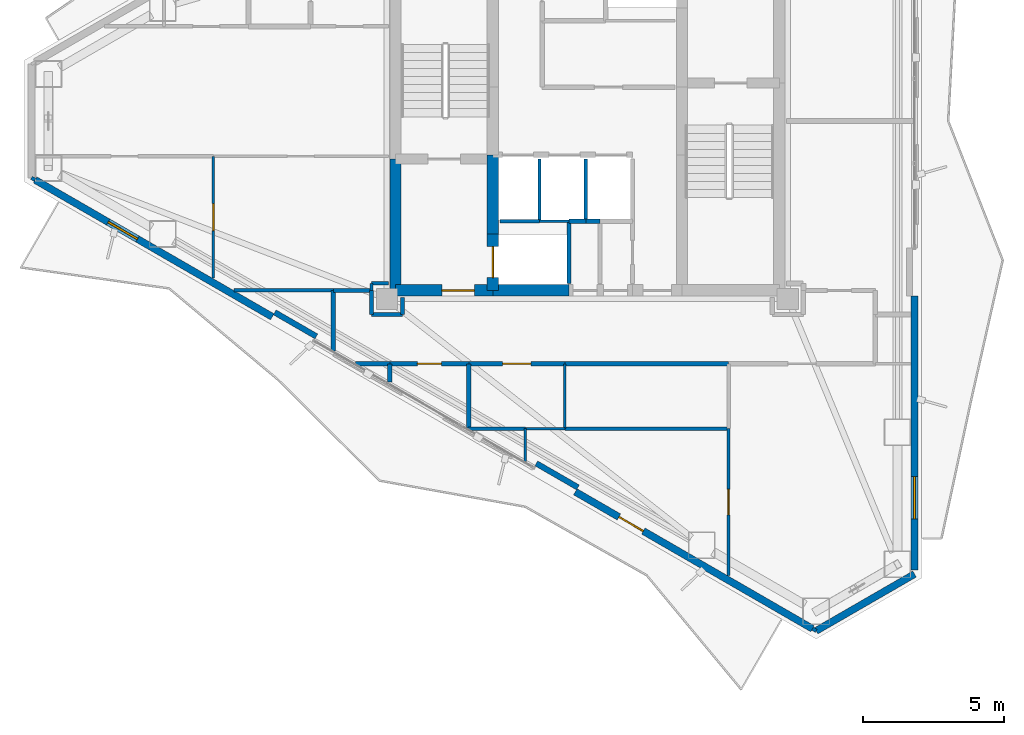
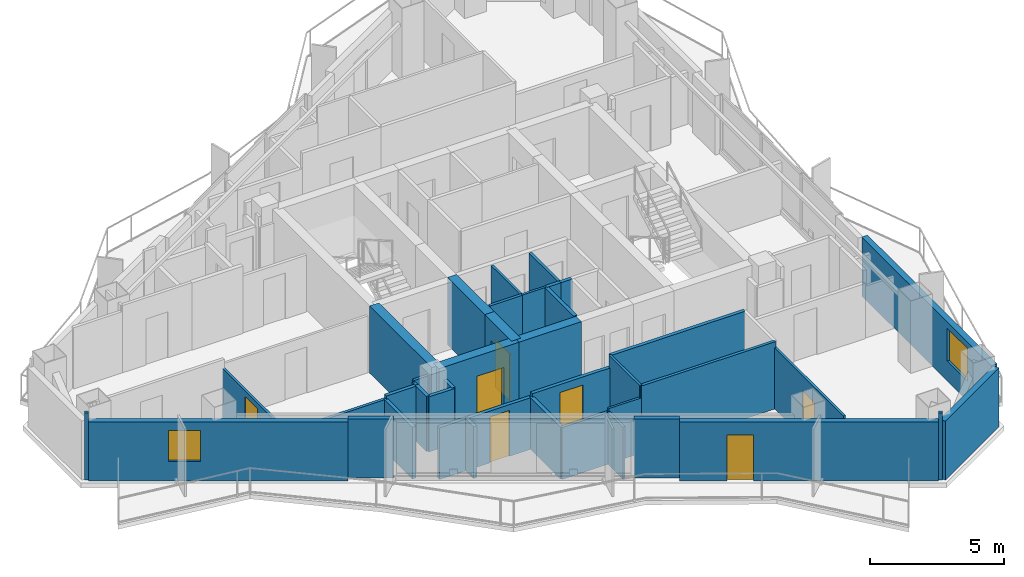
# One storey, part 16 of 22: 41 walls, 7 doors, 2 windows, 9 openings.
"""IFC4 building model written with IfcOpenShell, lengths in metres."""

from ifc_helpers import new_model, si_unit, direction, frame, frame_2d, origin, place, context, subcontext, project, spatial, rectangle, extrude, material, layer, layer_set, type_object, element, fill, save


model = new_model("IFC4")

# Units and contexts
model_context = context("Model", 3, precision=1e-05, world=origin(), true_north=direction((0.0, 1.0)))
body_context = subcontext(model_context, "Body", "Model", "MODEL_VIEW")
ifc_project = project(units=[si_unit("LENGTHUNIT", "METRE"), si_unit("AREAUNIT", "SQUARE_METRE"), si_unit("VOLUMEUNIT", "CUBIC_METRE"), si_unit("PLANEANGLEUNIT", "RADIAN"), si_unit("MASSUNIT", "GRAM", prefix="KILO")], contexts=[model_context])

# Site, building, storey
site_placement = place(None, origin())
site = spatial("IfcSite", under=ifc_project, at=site_placement, CompositionType="ELEMENT")
building_placement = place(site_placement, origin())
building = spatial("IfcBuilding", under=site, at=building_placement, Name="Mersakhor Tower and Convention Hall", CompositionType="ELEMENT")
storey_placement = place(building_placement, frame((0.0, 0.0, 192.0)))
storey = spatial("IfcBuildingStorey", under=building, at=storey_placement, Name="L53", CompositionType="ELEMENT", Elevation=192.0)

# Wall
ifc_material_1 = material(Name="Precast concrete C40/50", Category="concrete")
ifc_layer_1 = layer(ifc_material_1, 0.25)
ifc_layer_set_1 = layer_set([ifc_layer_1], Name="Precast concrete C40/50")
wall_type_1 = type_object("IfcWallType", Name="WL-EXT-250", PredefinedType="SOLIDWALL", material=ifc_layer_set_1)
wall_1_placement = place(storey_placement, frame((40.58837890625, 10.70166015625, 0.0), z_axis=(0.0, 0.0, 1.0), x_axis=(-0.866023907196, -0.500002592159, 0.0)))
element("IfcWall", 1, at=wall_1_placement, inside=storey, type_object=wall_type_1, Name="L53 Chamfer Braced Spandrel Wall C2", PredefinedType="SOLIDWALL", context=body_context, shape_type="SweptSolid", body=[
    extrude(rectangle(XDim=4.0234375, YDim=0.25, at=frame_2d((2.01171875, 0.0))), origin(), (0.0, 0.0, 1.0), 2.68994140625),
])

# Wall, opening, window
wall_2_placement = place(storey_placement, frame((40.58837890625, 20.550537109375, 0.0), z_axis=(0.0, 0.0, 1.0), x_axis=(0.0, -1.0, 0.0)))
wall_2 = element("IfcWall", 2, at=wall_2_placement, inside=storey, type_object=wall_type_1, Name="L53 Exterior Facade Wall F2-B3", PredefinedType="SOLIDWALL", context=body_context, shape_type="SweptSolid", body=[
    extrude(rectangle(XDim=9.698974609375, YDim=0.25, at=frame_2d((4.849609375, 0.0))), origin(), (0.0, 0.0, 1.0), 2.68994140625),
])
opening_1_placement = place(wall_2_placement, frame((6.39501953125, 0.0, 0.89990234375)))
opening_1 = element("IfcOpeningElement", 3, at=opening_1_placement, cuts=wall_2, Name="Opening W-02", PredefinedType="OPENING", context=body_context, shape_type="SweptSolid", body=[
    extrude(rectangle(XDim=1.5, YDim=1.5, at=frame_2d((0.75, 0.75))), frame((0.0, 0.135009765625, 0.0), z_axis=(0.0, -1.0, 0.0), x_axis=(1.0, 0.0, 0.0)), (0.0, 0.0, 1.0), 0.27001953125),
])
ifc_material_2 = material(Name="Dark solar low-E glazed aluminium window", Category="aluminium")
window_type_1 = type_object("IfcWindowType", Name="WN-RES-150x150", PartitioningType="SINGLE_PANEL", PredefinedType="WINDOW", material=ifc_material_2)
window_1_placement = place(opening_1_placement, origin())
window_1 = element("IfcWindow", 4, at=window_1_placement, inside=storey, type_object=window_type_1, Name="L53 Facade Punched Window F2-B3", OverallHeight=1.5, OverallWidth=1.5, PartitioningType="SINGLE_PANEL", PredefinedType="WINDOW", context=body_context, shape_type="SweptSolid", body=[
    extrude(rectangle(XDim=1.5, YDim=1.5, at=frame_2d((0.75, 0.75))), frame((0.0, 0.030029296875, 0.0), z_axis=(0.0, -1.0, 0.0), x_axis=(1.0, 0.0, 0.0)), (0.0, 0.0, 1.0), 0.06005859375),
])
fill(opening_1, window_1)

# Wall, opening, door
wall_3_placement = place(storey_placement, frame((36.97412109375, 8.764892578125, 0.0), z_axis=(0.0, 0.0, 1.0), x_axis=(-0.866016233231, 0.500015883528, 0.0)))
wall_3 = element("IfcWall", 5, at=wall_3_placement, inside=storey, type_object=wall_type_1, Name="L53 Exterior Facade Wall F3-B1", PredefinedType="SOLIDWALL", context=body_context, shape_type="SweptSolid", body=[
    extrude(rectangle(XDim=9.698974609375, YDim=0.25, at=frame_2d((4.849609375, 0.0))), origin(), (0.0, 0.0, 1.0), 2.68994140625),
])
opening_2_placement = place(wall_3_placement, frame((6.9189453125, 0.0, 0.0)))
opening_2 = element("IfcOpeningElement", 6, at=opening_2_placement, cuts=wall_3, Name="Opening BD-01", PredefinedType="OPENING", context=body_context, shape_type="SweptSolid", body=[
    extrude(rectangle(XDim=1.0, YDim=2.10009765625, at=frame_2d((0.5, 1.050048828125))), frame((0.0, 0.135009765625, 0.0), z_axis=(0.0, -1.0, 0.0), x_axis=(1.0, 0.0, 0.0)), (0.0, 0.0, 1.0), 0.27001953125),
])
ifc_material_3 = material(Name="Thermally broken dark aluminium and safety glass", Category="aluminium")
door_type_1 = type_object("IfcDoorType", Name="DR-BAL-100x210", OperationType="NOTDEFINED", PredefinedType="DOOR", material=ifc_material_3)
door_1_placement = place(opening_2_placement, origin())
door_1 = element("IfcDoor", 7, at=door_1_placement, inside=storey, type_object=door_type_1, Name="L53 Balcony Terrace Door F3-B1", OperationType="SINGLE_SWING_LEFT", OverallHeight=2.10009765625, OverallWidth=1.0, PredefinedType="DOOR", context=body_context, shape_type="SweptSolid", body=[
    extrude(rectangle(XDim=1.0, YDim=2.10009765625, at=frame_2d((0.5, 1.050048828125))), frame((0.0, 0.02490234375, 0.0), z_axis=(0.0, -1.0, 0.0), x_axis=(1.0, 0.0, 0.0)), (0.0, 0.0, 1.0), 0.050048828125),
])
fill(opening_2, door_1)

# Wall, opening, window
wall_4_placement = place(storey_placement, frame((17.8369140625, 19.81396484375, 0.0), z_axis=(0.0, 0.0, 1.0), x_axis=(-0.866027133173, 0.499997004599, 0.0)))
wall_4 = element("IfcWall", 8, at=wall_4_placement, inside=storey, type_object=wall_type_1, Name="L53 Exterior Facade Wall F3-B3", PredefinedType="SOLIDWALL", context=body_context, shape_type="SweptSolid", body=[
    extrude(rectangle(XDim=9.69873046875, YDim=0.25, at=frame_2d((4.849365234375, 0.0))), origin(), (0.0, 0.0, 1.0), 2.68994140625),
])
opening_3_placement = place(wall_4_placement, frame((5.511962890625, 0.0, 0.89990234375)))
opening_3 = element("IfcOpeningElement", 9, at=opening_3_placement, cuts=wall_4, Name="Opening W-01", PredefinedType="OPENING", context=body_context, shape_type="SweptSolid", body=[
    extrude(rectangle(XDim=1.199951171875, YDim=1.39990234375, at=frame_2d((0.60009765625, 0.699951171875))), frame((0.0, 0.135009765625, 0.0), z_axis=(0.0, -1.0, 0.0), x_axis=(1.0, 0.0, 0.0)), (0.0, 0.0, 1.0), 0.27001953125),
])
ifc_material_4 = material(Name="Dark solar low-E glazed aluminium window", Category="aluminium")
window_type_2 = type_object("IfcWindowType", Name="WN-RES-120x150", PartitioningType="SINGLE_PANEL", PredefinedType="WINDOW", material=ifc_material_4)
window_2_placement = place(opening_3_placement, origin())
window_2 = element("IfcWindow", 10, at=window_2_placement, inside=storey, type_object=window_type_2, Name="L53 Bedroom Facade Window F3-B3-1", OverallHeight=1.39990234375, OverallWidth=1.199951171875, PartitioningType="SINGLE_PANEL", PredefinedType="WINDOW", context=body_context, shape_type="SweptSolid", body=[
    extrude(rectangle(XDim=1.199951171875, YDim=1.39990234375, at=frame_2d((0.60009765625, 0.699951171875))), frame((0.0, 0.030029296875, 0.0), z_axis=(0.0, -1.0, 0.0), x_axis=(1.0, 0.0, 0.0)), (0.0, 0.0, 1.0), 0.06005859375),
])
fill(opening_3, window_2)

# Walls
ifc_material_5 = material(Name="Precast concrete C40/50", Category="concrete")
ifc_layer_2 = layer(ifc_material_5, 0.199951171875)
ifc_layer_set_2 = layer_set([ifc_layer_2], Name="Precast concrete C40/50")
wall_type_2 = type_object("IfcWallType", Name="WL-PAR-200", PredefinedType="PARAPET", material=ifc_layer_set_2)
wall_5_placement = place(storey_placement, frame((28.664794921875, 13.770263671875, 0.0), z_axis=(0.0, 0.0, 1.0), x_axis=(-0.866025371046, 0.500000056704, 0.0)))
element("IfcWall", 11, at=wall_5_placement, inside=storey, type_object=wall_type_2, Name="L53 Column Pier Cladding Wall F3-C1", PredefinedType="PARAPET", context=body_context, shape_type="SweptSolid", body=[
    extrude(rectangle(XDim=1.7001953125, YDim=0.199951171875, at=frame_2d((0.85009765625, 0.0))), origin(), (0.0, 0.0, 1.0), 2.68994140625),
])
wall_6_placement = place(storey_placement, frame((19.399169921875, 19.119873046875, 0.0), z_axis=(0.0, 0.0, 1.0), x_axis=(-0.86605165483, 0.499954529098, 0.0)))
element("IfcWall", 12, at=wall_6_placement, inside=storey, type_object=wall_type_2, Name="L53 Column Pier Cladding Wall F3-C2", PredefinedType="PARAPET", context=body_context, shape_type="SweptSolid", body=[
    extrude(rectangle(XDim=1.699951171875, YDim=0.199951171875, at=frame_2d((0.85009765625, 0.0))), origin(), (0.0, 0.0, 1.0), 2.68994140625),
])
ifc_material_6 = material(Name="Lightweight gypsum partition", Category="other")
ifc_layer_3 = layer(ifc_material_6, 0.10009765625)
ifc_layer_set_3 = layer_set([ifc_layer_3], Name="Lightweight gypsum partition")
wall_type_3 = type_object("IfcWallType", Name="WL-PRT-100", PredefinedType="PARTITIONING", material=ifc_layer_set_3)
wall_7_placement = place(storey_placement, frame((27.300048828125, 23.199951171875, 0.0), z_axis=(0.0, 0.0, 1.0), x_axis=(1.0, 0.0, 0.0)))
element("IfcWall", 13, at=wall_7_placement, inside=storey, type_object=wall_type_3, Name="L53 Interior Partition Wall P-002", PredefinedType="PARTITIONING", context=body_context, shape_type="SweptSolid", body=[
    extrude(rectangle(XDim=1.050048828125, YDim=0.10009765625, at=frame_2d((0.52490234375, 0.0))), origin(), (0.0, 0.0, 1.0), 3.070068359375),
])
wall_8_placement = place(storey_placement, frame((27.300048828125, 25.39990234375, 0.0), z_axis=(0.0, 0.0, 1.0), x_axis=(0.0, -1.0, 0.0)))
element("IfcWall", 14, at=wall_8_placement, inside=storey, type_object=wall_type_3, Name="L53 Interior Partition Wall P-006", PredefinedType="PARTITIONING", context=body_context, shape_type="SweptSolid", body=[
    extrude(rectangle(XDim=2.199951171875, YDim=0.10009765625, at=frame_2d((1.10009765625, 0.0))), origin(), (0.0, 0.0, 1.0), 3.070068359375),
])

# Wall, opening, door
wall_9_placement = place(storey_placement, frame((34.0, 10.654296875, 0.0), z_axis=(0.0, 0.0, 1.0), x_axis=(0.0, 1.0, 0.0)))
wall_9 = element("IfcWall", 15, at=wall_9_placement, inside=storey, type_object=wall_type_3, Name="L53 Interior Partition Wall P-072", PredefinedType="PARTITIONING", context=body_context, shape_type="SweptSolid", body=[
    extrude(rectangle(XDim=5.19580078125, YDim=0.10009765625, at=frame_2d((2.597900390625, 0.0))), origin(), (0.0, 0.0, 1.0), 2.794677734375),
])
opening_4_placement = place(wall_9_placement, frame((2.14794921875, 0.0, 0.0)))
opening_4 = element("IfcOpeningElement", 16, at=opening_4_placement, cuts=wall_9, Name="Opening WD-01", PredefinedType="OPENING", context=body_context, shape_type="SweptSolid", body=[
    extrude(rectangle(XDim=0.89990234375, YDim=2.10009765625, at=frame_2d((0.449951171875, 1.050048828125))), frame((0.0, 0.06005859375, 0.0), z_axis=(0.0, -1.0, 0.0), x_axis=(1.0, 0.0, 0.0)), (0.0, 0.0, 1.0), 0.1201171875),
])
ifc_material_7 = material(Name="Solid-core hardwood leaf in painted steel frame", Category="steel")
door_type_2 = type_object("IfcDoorType", Name="DR-INT-WET-090x210", OperationType="NOTDEFINED", PredefinedType="DOOR", material=ifc_material_7)
door_2_placement = place(opening_4_placement, origin())
door_2 = element("IfcDoor", 17, at=door_2_placement, inside=storey, type_object=door_type_2, Name="L53 L53 South-East Shared Pantry to L53 Floor Residents Study Room 2-3 Door", OperationType="SINGLE_SWING_RIGHT", OverallHeight=2.10009765625, OverallWidth=0.89990234375, PredefinedType="DOOR", context=body_context, shape_type="SweptSolid", body=[
    extrude(rectangle(XDim=0.89990234375, YDim=2.10009765625, at=frame_2d((0.449951171875, 1.050048828125))), frame((0.0, 0.02490234375, 0.0), z_axis=(0.0, -1.0, 0.0), x_axis=(1.0, 0.0, 0.0)), (0.0, 0.0, 1.0), 0.050048828125),
])
fill(opening_4, door_2)

# Walls
wall_10_placement = place(storey_placement, frame((28.199951171875, 15.85009765625, 0.0), z_axis=(0.0, 0.0, 1.0), x_axis=(-1.0, 0.0, 0.0)))
element("IfcWall", 18, at=wall_10_placement, inside=storey, type_object=wall_type_3, Name="L53 Interior Partition Wall P-084", PredefinedType="PARTITIONING", context=body_context, shape_type="SweptSolid", body=[
    extrude(rectangle(XDim=1.39990234375, YDim=0.10009765625, at=frame_2d((0.699951171875, 0.0))), origin(), (0.0, 0.0, 1.0), 2.518310546875),
])
wall_11_placement = place(storey_placement, frame((28.199951171875, 18.14990234375, 0.0), z_axis=(0.0, 0.0, 1.0), x_axis=(0.0, -1.0, 0.0)))
element("IfcWall", 19, at=wall_11_placement, inside=storey, type_object=wall_type_3, Name="L53 Interior Partition Wall P-086", PredefinedType="PARTITIONING", context=body_context, shape_type="SweptSolid", body=[
    extrude(rectangle(XDim=2.2998046875, YDim=0.10009765625, at=frame_2d((1.14990234375, 0.0))), origin(), (0.0, 0.0, 1.0), 3.070068359375),
])
wall_12_placement = place(storey_placement, frame((26.800048828125, 14.682861328125, 0.0), z_axis=(0.0, 0.0, 1.0), x_axis=(0.0, 1.0, 0.0)))
element("IfcWall", 20, at=wall_12_placement, inside=storey, type_object=wall_type_3, Name="L53 Interior Partition Wall P-088", PredefinedType="PARTITIONING", context=body_context, shape_type="SweptSolid", body=[
    extrude(rectangle(XDim=1.167236328125, YDim=0.10009765625, at=frame_2d((0.58349609375, 0.0))), origin(), (0.0, 0.0, 1.0), 2.364990234375),
])

# Wall, opening, door
wall_13_placement = place(storey_placement, frame((15.75, 25.5, 0.0), z_axis=(0.0, 0.0, 1.0), x_axis=(0.0, -1.0, 0.0)))
wall_13 = element("IfcWall", 21, at=wall_13_placement, inside=storey, type_object=wall_type_3, Name="L53 Interior Partition Wall P-094", PredefinedType="PARTITIONING", context=body_context, shape_type="SweptSolid", body=[
    extrude(rectangle(XDim=4.30908203125, YDim=0.10009765625, at=frame_2d((2.154541015625, 0.0))), origin(), (0.0, 0.0, 1.0), 2.364990234375),
])
opening_5_placement = place(wall_13_placement, frame((1.6796875, 0.0, 0.0)))
opening_5 = element("IfcOpeningElement", 22, at=opening_5_placement, cuts=wall_13, Name="Opening RD-01", PredefinedType="OPENING", context=body_context, shape_type="SweptSolid", body=[
    extrude(rectangle(XDim=0.949951171875, YDim=2.10009765625, at=frame_2d((0.47509765625, 1.050048828125))), frame((0.0, 0.06005859375, 0.0), z_axis=(0.0, -1.0, 0.0), x_axis=(1.0, 0.0, 0.0)), (0.0, 0.0, 1.0), 0.1201171875),
])
ifc_material_8 = material(Name="Solid-core hardwood leaf in painted steel frame", Category="steel")
door_type_3 = type_object("IfcDoorType", Name="DR-INT-RM-095x210", OperationType="NOTDEFINED", PredefinedType="DOOR", material=ifc_material_8)
door_3_placement = place(opening_5_placement, origin())
door_3 = element("IfcDoor", 23, at=door_3_placement, inside=storey, type_object=door_type_3, Name="L53 L53 Flat W3 Bedroom 1 to L53 Flat W3 Study Room Door", OperationType="SINGLE_SWING_RIGHT", OverallHeight=2.10009765625, OverallWidth=0.949951171875, PredefinedType="DOOR", context=body_context, shape_type="SweptSolid", body=[
    extrude(rectangle(XDim=0.949951171875, YDim=2.10009765625, at=frame_2d((0.47509765625, 1.050048828125))), frame((0.0, 0.02490234375, 0.0), z_axis=(0.0, -1.0, 0.0), x_axis=(1.0, 0.0, 0.0)), (0.0, 0.0, 1.0), 0.050048828125),
])
fill(opening_5, door_3)

# Walls
wall_14_placement = place(storey_placement, frame((21.35009765625, 21.0, 0.0), z_axis=(0.0, 0.0, 1.0), x_axis=(0.0, -1.0, 0.0)))
element("IfcWall", 24, at=wall_14_placement, inside=storey, type_object=wall_type_3, Name="L53 Interior Partition Wall P-096", PredefinedType="PARTITIONING", context=body_context, shape_type="SweptSolid", body=[
    extrude(rectangle(XDim=0.25, YDim=0.10009765625, at=frame_2d((0.125, 0.0))), origin(), (0.0, 0.0, 1.0), 2.518310546875),
])
ifc_material_9 = material(Name="Gypsum board acoustic partition", Category="other")
ifc_layer_4 = layer(ifc_material_9, 0.125)
ifc_layer_set_4 = layer_set([ifc_layer_4], Name="Gypsum board acoustic partition")
wall_type_4 = type_object("IfcWallType", Name="WL-PRT-125", PredefinedType="PARTITIONING", material=ifc_layer_set_4)
wall_15_placement = place(storey_placement, frame((25.89990234375, 23.199951171875, 0.0), z_axis=(0.0, 0.0, 1.0), x_axis=(1.0, 0.0, 0.0)))
element("IfcWall", 25, at=wall_15_placement, inside=storey, type_object=wall_type_4, Name="L53 Interior Partition Wall P-001", PredefinedType="PARTITIONING", context=body_context, shape_type="SweptSolid", body=[
    extrude(rectangle(XDim=1.400146484375, YDim=0.125, at=frame_2d((0.7001953125, 0.0))), origin(), (0.0, 0.0, 1.0), 3.070068359375),
])
wall_16_placement = place(storey_placement, frame((28.949951171875, 25.39990234375, 0.0), z_axis=(0.0, 0.0, 1.0), x_axis=(0.0, -1.0, 0.0)))
element("IfcWall", 26, at=wall_16_placement, inside=storey, type_object=wall_type_4, Name="L53 Interior Partition Wall P-007", PredefinedType="PARTITIONING", context=body_context, shape_type="SweptSolid", body=[
    extrude(rectangle(XDim=2.199951171875, YDim=0.125, at=frame_2d((1.10009765625, 0.0))), origin(), (0.0, 0.0, 1.0), 3.070068359375),
])
wall_17_placement = place(storey_placement, frame((37.10400390625, 8.68994140625, 0.0), z_axis=(0.0, 0.0, 1.0), x_axis=(-0.866131372301, 0.499816412211, 0.0)))
element("IfcWall", 27, at=wall_17_placement, inside=storey, type_object=wall_type_4, Name="L53 Interior Partition Wall P-071", PredefinedType="PARTITIONING", context=body_context, shape_type="SweptSolid", body=[
    extrude(rectangle(XDim=0.14990234375, YDim=0.125, at=frame_2d((0.074951171875, 0.0))), origin(), (0.0, 0.0, 1.0), 3.070068359375),
])
wall_18_placement = place(storey_placement, frame((26.800048828125, 15.85009765625, 0.0), z_axis=(0.0, 0.0, 1.0), x_axis=(-1.0, 0.0, 0.0)))
element("IfcWall", 28, at=wall_18_placement, inside=storey, type_object=wall_type_4, Name="L53 Interior Partition Wall P-085", PredefinedType="PARTITIONING", context=body_context, shape_type="SweptSolid", body=[
    extrude(rectangle(XDim=2.028564453125, YDim=0.125, at=frame_2d((1.01416015625, 0.0))), origin(), (0.0, 0.0, 1.0), 2.364990234375),
])
wall_19_placement = place(storey_placement, frame((28.199951171875, 15.85009765625, 0.0), z_axis=(0.0, 0.0, 1.0), x_axis=(1.0, 0.0, 0.0)))
element("IfcWall", 29, at=wall_19_placement, inside=storey, type_object=wall_type_4, Name="L53 Interior Partition Wall P-087", PredefinedType="PARTITIONING", context=body_context, shape_type="SweptSolid", body=[
    extrude(rectangle(XDim=5.800048828125, YDim=0.125, at=frame_2d((2.89990234375, 0.0))), origin(), (0.0, 0.0, 1.0), 3.070068359375),
])
wall_20_placement = place(storey_placement, frame((9.437255859375, 24.662841796875, 0.0), z_axis=(0.0, 0.0, 1.0), x_axis=(-0.866239593359, 0.499628829129, 0.0)))
element("IfcWall", 30, at=wall_20_placement, inside=storey, type_object=wall_type_4, Name="L53 Interior Partition Wall P-093", PredefinedType="PARTITIONING", context=body_context, shape_type="SweptSolid", body=[
    extrude(rectangle(XDim=0.150390625, YDim=0.125, at=frame_2d((0.0751953125, 0.0))), origin(), (0.0, 0.0, 1.0), 3.070068359375),
])
wall_21_placement = place(storey_placement, frame((21.949951171875, 21.0, 0.0), z_axis=(0.0, 0.0, 1.0), x_axis=(-1.0, 0.0, 0.0)))
element("IfcWall", 31, at=wall_21_placement, inside=storey, type_object=wall_type_4, Name="L53 Interior Partition Wall P-095", PredefinedType="PARTITIONING", context=body_context, shape_type="SweptSolid", body=[
    extrude(rectangle(XDim=0.599853515625, YDim=0.125, at=frame_2d((0.2998046875, 0.0))), origin(), (0.0, 0.0, 1.0), 2.594970703125),
])
wall_22_placement = place(storey_placement, frame((20.0, 20.75, 0.0), z_axis=(0.0, 0.0, 1.0), x_axis=(-1.0, 0.0, 0.0)))
element("IfcWall", 32, at=wall_22_placement, inside=storey, type_object=wall_type_4, Name="L53 Interior Partition Wall P-097", PredefinedType="PARTITIONING", context=body_context, shape_type="SweptSolid", body=[
    extrude(rectangle(XDim=3.513671875, YDim=0.125, at=frame_2d((1.7568359375, 0.0))), origin(), (0.0, 0.0, 1.0), 2.364990234375),
])
ifc_material_10 = material(Name="Fire-rated gypsum board stud partition", Category="other")
ifc_layer_5 = layer(ifc_material_10, 0.14990234375)
ifc_layer_set_5 = layer_set([ifc_layer_5], Name="Fire-rated gypsum board stud partition")
wall_type_5 = type_object("IfcWallType", Name="WL-PRT-150", PredefinedType="PARTITIONING", material=ifc_layer_set_5)
wall_23_placement = place(storey_placement, frame((28.35009765625, 23.199951171875, 0.0), z_axis=(0.0, 0.0, 1.0), x_axis=(0.0, -1.0, 0.0)))
element("IfcWall", 33, at=wall_23_placement, inside=storey, type_object=wall_type_5, Name="L53 Interior Partition Wall P-003", PredefinedType="PARTITIONING", context=body_context, shape_type="SweptSolid", body=[
    extrude(rectangle(XDim=2.199951171875, YDim=0.14990234375, at=frame_2d((1.10009765625, 0.0))), origin(), (0.0, 0.0, 1.0), 3.070068359375),
])
wall_24_placement = place(storey_placement, frame((28.949951171875, 23.199951171875, 0.0), z_axis=(0.0, 0.0, 1.0), x_axis=(-1.0, 0.0, 0.0)))
element("IfcWall", 34, at=wall_24_placement, inside=storey, type_object=wall_type_5, Name="L53 Interior Partition Wall P-008", PredefinedType="PARTITIONING", context=body_context, shape_type="SweptSolid", body=[
    extrude(rectangle(XDim=0.599853515625, YDim=0.14990234375, at=frame_2d((0.2998046875, 0.0))), origin(), (0.0, 0.0, 1.0), 3.070068359375),
])
wall_25_placement = place(storey_placement, frame((29.449951171875, 23.199951171875, 0.0), z_axis=(0.0, 0.0, 1.0), x_axis=(-1.0, 0.0, 0.0)))
element("IfcWall", 35, at=wall_25_placement, inside=storey, type_object=wall_type_5, Name="L53 Interior Partition Wall P-011", PredefinedType="PARTITIONING", context=body_context, shape_type="SweptSolid", body=[
    extrude(rectangle(XDim=0.5, YDim=0.14990234375, at=frame_2d((0.25, 0.0))), origin(), (0.0, 0.0, 1.0), 3.070068359375),
])
wall_26_placement = place(storey_placement, frame((20.0, 20.75, 0.0), z_axis=(0.0, 0.0, 1.0), x_axis=(1.0, 0.0, 0.0)))
element("IfcWall", 36, at=wall_26_placement, inside=storey, type_object=wall_type_5, Name="L53 Interior Partition Wall P-032", PredefinedType="PARTITIONING", context=body_context, shape_type="SweptSolid", body=[
    extrude(rectangle(XDim=1.35009765625, YDim=0.14990234375, at=frame_2d((0.675048828125, 0.0))), origin(), (0.0, 0.0, 1.0), 2.518310546875),
])
wall_27_placement = place(storey_placement, frame((21.35009765625, 20.75, 0.0), z_axis=(0.0, 0.0, 1.0), x_axis=(0.0, -1.0, 0.0)))
element("IfcWall", 37, at=wall_27_placement, inside=storey, type_object=wall_type_5, Name="L53 Interior Partition Wall P-033", PredefinedType="PARTITIONING", context=body_context, shape_type="SweptSolid", body=[
    extrude(rectangle(XDim=0.85009765625, YDim=0.14990234375, at=frame_2d((0.425048828125, 0.0))), origin(), (0.0, 0.0, 1.0), 2.518310546875),
])
wall_28_placement = place(storey_placement, frame((21.35009765625, 19.89990234375, 0.0), z_axis=(0.0, 0.0, 1.0), x_axis=(1.0, 0.0, 0.0)))
element("IfcWall", 38, at=wall_28_placement, inside=storey, type_object=wall_type_5, Name="L53 Interior Partition Wall P-034", PredefinedType="PARTITIONING", context=body_context, shape_type="SweptSolid", body=[
    extrude(rectangle(XDim=1.099853515625, YDim=0.14990234375, at=frame_2d((0.5498046875, 0.0))), origin(), (0.0, 0.0, 1.0), 2.518310546875),
])
wall_29_placement = place(storey_placement, frame((22.449951171875, 19.89990234375, 0.0), z_axis=(0.0, 0.0, 1.0), x_axis=(0.0, 1.0, 0.0)))
element("IfcWall", 39, at=wall_29_placement, inside=storey, type_object=wall_type_5, Name="L53 Interior Partition Wall P-035", PredefinedType="PARTITIONING", context=body_context, shape_type="SweptSolid", body=[
    extrude(rectangle(XDim=0.60009765625, YDim=0.14990234375, at=frame_2d((0.300048828125, 0.0))), origin(), (0.0, 0.0, 1.0), 2.518310546875),
])
wall_30_placement = place(storey_placement, frame((34.0, 18.14990234375, 0.0), z_axis=(0.0, 0.0, 1.0), x_axis=(-1.0, 0.0, 0.0)))
element("IfcWall", 40, at=wall_30_placement, inside=storey, type_object=wall_type_5, Name="L53 Interior Partition Wall P-043", PredefinedType="PARTITIONING", context=body_context, shape_type="SweptSolid", body=[
    extrude(rectangle(XDim=5.800048828125, YDim=0.14990234375, at=frame_2d((2.89990234375, 0.0))), origin(), (0.0, 0.0, 1.0), 3.070068359375),
])

# Wall, opening, door
wall_31_placement = place(storey_placement, frame((28.199951171875, 18.14990234375, 0.0), z_axis=(0.0, 0.0, 1.0), x_axis=(-1.0, 0.0, 0.0)))
wall_31 = element("IfcWall", 41, at=wall_31_placement, inside=storey, type_object=wall_type_5, Name="L53 Interior Partition Wall P-044", PredefinedType="PARTITIONING", context=body_context, shape_type="SweptSolid", body=[
    extrude(rectangle(XDim=3.39990234375, YDim=0.14990234375, at=frame_2d((1.699951171875, 0.0))), origin(), (0.0, 0.0, 1.0), 2.518310546875),
])
opening_6_placement = place(wall_31_placement, frame((1.199951171875, 0.0, 0.0)))
opening_6 = element("IfcOpeningElement", 42, at=opening_6_placement, cuts=wall_31, Name="Opening FD-01", PredefinedType="OPENING", context=body_context, shape_type="SweptSolid", body=[
    extrude(rectangle(XDim=1.0, YDim=2.14990234375, at=frame_2d((0.5, 1.074951171875))), frame((0.0, 0.0849609375, 0.0), z_axis=(0.0, -1.0, 0.0), x_axis=(1.0, 0.0, 0.0)), (0.0, 0.0, 1.0), 0.169921875),
])
ifc_material_11 = material(Name="Fire-rated hardwood leaf and painted steel frame", Category="steel")
door_type_4 = type_object("IfcDoorType", Name="DR-INT-FLT-100x215", OperationType="NOTDEFINED", PredefinedType="DOOR", material=ifc_material_11)
door_4_placement = place(opening_6_placement, origin())
door_4 = element("IfcDoor", 43, at=door_4_placement, inside=storey, type_object=door_type_4, Name="L53 Residential South Gallery Corridor to L53 Floor Shared Tea Pantry 2-2 Door", OperationType="SINGLE_SWING_RIGHT", OverallHeight=2.14990234375, OverallWidth=1.0, PredefinedType="DOOR", context=body_context, shape_type="SweptSolid", body=[
    extrude(rectangle(XDim=1.0, YDim=2.14990234375, at=frame_2d((0.5, 1.074951171875))), frame((0.0, 0.02490234375, 0.0), z_axis=(0.0, -1.0, 0.0), x_axis=(1.0, 0.0, 0.0)), (0.0, 0.0, 1.0), 0.050048828125),
])
fill(opening_6, door_4)

wall_32_placement = place(storey_placement, frame((24.800048828125, 18.14990234375, 0.0), z_axis=(0.0, 0.0, 1.0), x_axis=(-1.0, 0.0, 0.0)))
wall_32 = element("IfcWall", 44, at=wall_32_placement, inside=storey, type_object=wall_type_5, Name="L53 Interior Partition Wall P-045", PredefinedType="PARTITIONING", context=body_context, shape_type="SweptSolid", body=[
    extrude(rectangle(XDim=2.800048828125, YDim=0.14990234375, at=frame_2d((1.39990234375, 0.0))), origin(), (0.0, 0.0, 1.0), 2.364990234375),
])
opening_7_placement = place(wall_32_placement, frame((0.97509765625, 0.0, 0.0)))
opening_7 = element("IfcOpeningElement", 45, at=opening_7_placement, cuts=wall_32, Name="Opening SVD-01", PredefinedType="OPENING", context=body_context, shape_type="SweptSolid", body=[
    extrude(rectangle(XDim=0.85009765625, YDim=2.10009765625, at=frame_2d((0.425048828125, 1.050048828125))), frame((0.0, 0.0849609375, 0.0), z_axis=(0.0, -1.0, 0.0), x_axis=(1.0, 0.0, 0.0)), (0.0, 0.0, 1.0), 0.169921875),
])
ifc_material_12 = material(Name="Fire-rated hardwood leaf and painted steel frame", Category="steel")
door_type_5 = type_object("IfcDoorType", Name="DR-INT-SVC-085x210", OperationType="NOTDEFINED", PredefinedType="DOOR", material=ifc_material_12)
door_5_placement = place(opening_7_placement, origin())
door_5 = element("IfcDoor", 46, at=door_5_placement, inside=storey, type_object=door_type_5, Name="L53 Residential South Gallery Corridor to L53 Floor Household Store Room 2-1 Door", OperationType="SINGLE_SWING_LEFT", OverallHeight=2.10009765625, OverallWidth=0.85009765625, PredefinedType="DOOR", context=body_context, shape_type="SweptSolid", body=[
    extrude(rectangle(XDim=0.85009765625, YDim=2.10009765625, at=frame_2d((0.425048828125, 1.050048828125))), frame((0.0, 0.02490234375, 0.0), z_axis=(0.0, -1.0, 0.0), x_axis=(1.0, 0.0, 0.0)), (0.0, 0.0, 1.0), 0.050048828125),
])
fill(opening_7, door_5)

# Walls
wall_33_placement = place(storey_placement, frame((22.0, 18.14990234375, 0.0), z_axis=(0.0, 0.0, 1.0), x_axis=(-1.0, 0.0, 0.0)))
element("IfcWall", 47, at=wall_33_placement, inside=storey, type_object=wall_type_5, Name="L53 Interior Partition Wall P-046", PredefinedType="PARTITIONING", context=body_context, shape_type="SweptSolid", body=[
    extrude(rectangle(XDim=1.2119140625, YDim=0.14990234375, at=frame_2d((0.60595703125, 0.0))), origin(), (0.0, 0.0, 1.0), 2.364990234375),
])
wall_34_placement = place(storey_placement, frame((20.0, 18.60888671875, 0.0), z_axis=(0.0, 0.0, 1.0), x_axis=(0.0, 1.0, 0.0)))
element("IfcWall", 48, at=wall_34_placement, inside=storey, type_object=wall_type_5, Name="L53 Interior Partition Wall P-047", PredefinedType="PARTITIONING", context=body_context, shape_type="SweptSolid", body=[
    extrude(rectangle(XDim=2.14111328125, YDim=0.14990234375, at=frame_2d((1.070556640625, 0.0))), origin(), (0.0, 0.0, 1.0), 2.364990234375),
])
wall_35_placement = place(storey_placement, frame((24.800048828125, 18.14990234375, 0.0), z_axis=(0.0, 0.0, 1.0), x_axis=(0.0, -1.0, 0.0)))
element("IfcWall", 49, at=wall_35_placement, inside=storey, type_object=wall_type_5, Name="L53 Interior Partition Wall P-082", PredefinedType="PARTITIONING", context=body_context, shape_type="SweptSolid", body=[
    extrude(rectangle(XDim=2.312255859375, YDim=0.14990234375, at=frame_2d((1.15625, 0.0))), origin(), (0.0, 0.0, 1.0), 2.364990234375),
])
wall_36_placement = place(storey_placement, frame((22.0, 17.499267578125, 0.0), z_axis=(0.0, 0.0, 1.0), x_axis=(0.0, 1.0, 0.0)))
element("IfcWall", 50, at=wall_36_placement, inside=storey, type_object=wall_type_5, Name="L53 Interior Partition Wall P-083", PredefinedType="PARTITIONING", context=body_context, shape_type="SweptSolid", body=[
    extrude(rectangle(XDim=0.650634765625, YDim=0.14990234375, at=frame_2d((0.3251953125, 0.0))), origin(), (0.0, 0.0, 1.0), 2.364990234375),
])
ifc_material_13 = material(Name="Concrete C60/75", Category="concrete")
ifc_layer_6 = layer(ifc_material_13, 0.39990234375)
ifc_layer_set_6 = layer_set([ifc_layer_6], Name="Concrete C60/75")
wall_type_6 = type_object("IfcWallType", Name="WL-SHR-400", PredefinedType="SHEAR", material=ifc_layer_set_6)
wall_37_placement = place(storey_placement, frame((22.199951171875, 20.75, 0.0), z_axis=(0.0, 0.0, 1.0), x_axis=(0.0, 1.0, 0.0)))
element("IfcWall", 51, at=wall_37_placement, inside=storey, type_object=wall_type_6, Name="L53 Core Wall CW-W1", PredefinedType="SHEAR", context=body_context, shape_type="SweptSolid", body=[
    extrude(rectangle(XDim=4.64990234375, YDim=0.39990234375, at=frame_2d((2.324951171875, 0.0))), origin(), (0.0, 0.0, 1.0), 3.070068359375),
])
wall_38_placement = place(storey_placement, frame((28.35009765625, 20.75, 0.0), z_axis=(0.0, 0.0, 1.0), x_axis=(-1.0, 0.0, 0.0)))
element("IfcWall", 52, at=wall_38_placement, inside=storey, type_object=wall_type_6, Name="L53 Core Wall CW-S3", PredefinedType="SHEAR", context=body_context, shape_type="SweptSolid", body=[
    extrude(rectangle(XDim=2.7001953125, YDim=0.39990234375, at=frame_2d((1.35009765625, 0.0))), origin(), (0.0, 0.0, 1.0), 3.070068359375),
])

# Wall, opening, door
wall_39_placement = place(storey_placement, frame((25.64990234375, 20.75, 0.0), z_axis=(0.0, 0.0, 1.0), x_axis=(-1.0, 0.0, 0.0)))
wall_39 = element("IfcWall", 53, at=wall_39_placement, inside=storey, type_object=wall_type_6, Name="L53 Core Wall CW-S4", PredefinedType="SHEAR", context=body_context, shape_type="SweptSolid", body=[
    extrude(rectangle(XDim=3.449951171875, YDim=0.39990234375, at=frame_2d((1.72509765625, 0.0))), origin(), (0.0, 0.0, 1.0), 3.070068359375),
])
opening_8_placement = place(wall_39_placement, frame((0.64990234375, 0.0, 0.0)))
opening_8 = element("IfcOpeningElement", 54, at=opening_8_placement, cuts=wall_39, Name="Opening SD-01", PredefinedType="OPENING", context=body_context, shape_type="SweptSolid", body=[
    extrude(rectangle(XDim=1.14990234375, YDim=2.14990234375, at=frame_2d((0.574951171875, 1.074951171875))), frame((0.0, 0.2099609375, 0.0), z_axis=(0.0, -1.0, 0.0), x_axis=(1.0, 0.0, 0.0)), (0.0, 0.0, 1.0), 0.419921875),
])
ifc_material_14 = material(Name="Fire-rated hardwood leaf and painted steel frame", Category="steel")
door_type_6 = type_object("IfcDoorType", Name="DR-INT-STAIR-115x215", OperationType="NOTDEFINED", PredefinedType="DOOR", material=ifc_material_14)
door_6_placement = place(opening_8_placement, origin())
door_6 = element("IfcDoor", 55, at=door_6_placement, inside=storey, type_object=door_type_6, Name="L53 Firefighting Lobby West Fire Door", OperationType="SINGLE_SWING_LEFT", OverallHeight=2.14990234375, OverallWidth=1.14990234375, PredefinedType="DOOR", context=body_context, shape_type="SweptSolid", body=[
    extrude(rectangle(XDim=1.14990234375, YDim=2.14990234375, at=frame_2d((0.574951171875, 1.074951171875))), frame((0.0, 0.02490234375, 0.0), z_axis=(0.0, -1.0, 0.0), x_axis=(1.0, 0.0, 0.0)), (0.0, 0.0, 1.0), 0.050048828125),
])
fill(opening_8, door_6)

wall_40_placement = place(storey_placement, frame((25.64990234375, 20.75, 0.0), z_axis=(0.0, 0.0, 1.0), x_axis=(0.0, 1.0, 0.0)))
wall_40 = element("IfcWall", 56, at=wall_40_placement, inside=storey, type_object=wall_type_6, Name="L53 Core Wall CS-W-FFL", PredefinedType="SHEAR", context=body_context, shape_type="SweptSolid", body=[
    extrude(rectangle(XDim=2.0, YDim=0.39990234375, at=frame_2d((1.0, 0.0))), origin(), (0.0, 0.0, 1.0), 3.070068359375),
])
opening_9_placement = place(wall_40_placement, frame((0.449951171875, 0.0, 0.0)))
opening_9 = element("IfcOpeningElement", 57, at=opening_9_placement, cuts=wall_40, Name="Opening LD-FFL1", PredefinedType="OPENING", context=body_context, shape_type="SweptSolid", body=[
    extrude(rectangle(XDim=1.10009765625, YDim=2.14990234375, at=frame_2d((0.550048828125, 1.074951171875))), frame((0.0, 0.2099609375, 0.0), z_axis=(0.0, -1.0, 0.0), x_axis=(1.0, 0.0, 0.0)), (0.0, 0.0, 1.0), 0.419921875),
])
ifc_material_15 = material(Name="Fire-rated brushed stainless steel sliding landing door", Category="steel")
door_type_7 = type_object("IfcDoorType", Name="DR-LIFT-SLD-110x215", OperationType="NOTDEFINED", PredefinedType="DOOR", material=ifc_material_15)
door_7_placement = place(opening_9_placement, origin())
door_7 = element("IfcDoor", 58, at=door_7_placement, inside=storey, type_object=door_type_7, Name="L53 Firefighting Lift Landing Door LD-FFL1", OperationType="SLIDING_TO_LEFT", OverallHeight=2.14990234375, OverallWidth=1.10009765625, PredefinedType="DOOR", context=body_context, shape_type="SweptSolid", body=[
    extrude(rectangle(XDim=1.10009765625, YDim=2.14990234375, at=frame_2d((0.550048828125, 1.074951171875))), frame((0.0, 0.02490234375, 0.0), z_axis=(0.0, -1.0, 0.0), x_axis=(1.0, 0.0, 0.0)), (0.0, 0.0, 1.0), 0.050048828125),
])
fill(opening_9, door_7)

# Wall
wall_41_placement = place(storey_placement, frame((25.64990234375, 22.75, 0.0), z_axis=(0.0, 0.0, 1.0), x_axis=(0.0, 1.0, 0.0)))
element("IfcWall", 59, at=wall_41_placement, inside=storey, type_object=wall_type_6, Name="L53 Core Wall CS-W-MID", PredefinedType="SHEAR", context=body_context, shape_type="SweptSolid", body=[
    extrude(rectangle(XDim=2.800048828125, YDim=0.39990234375, at=frame_2d((1.39990234375, 0.0))), origin(), (0.0, 0.0, 1.0), 3.070068359375),
])

save(model, "model.ifc")
